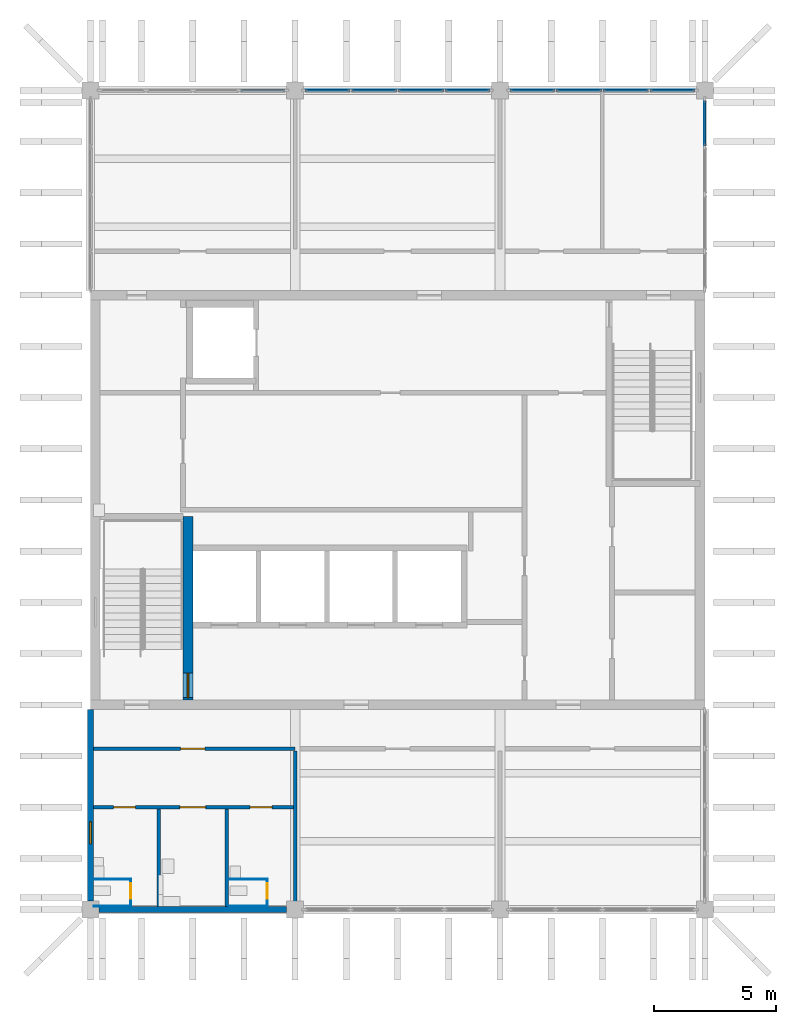
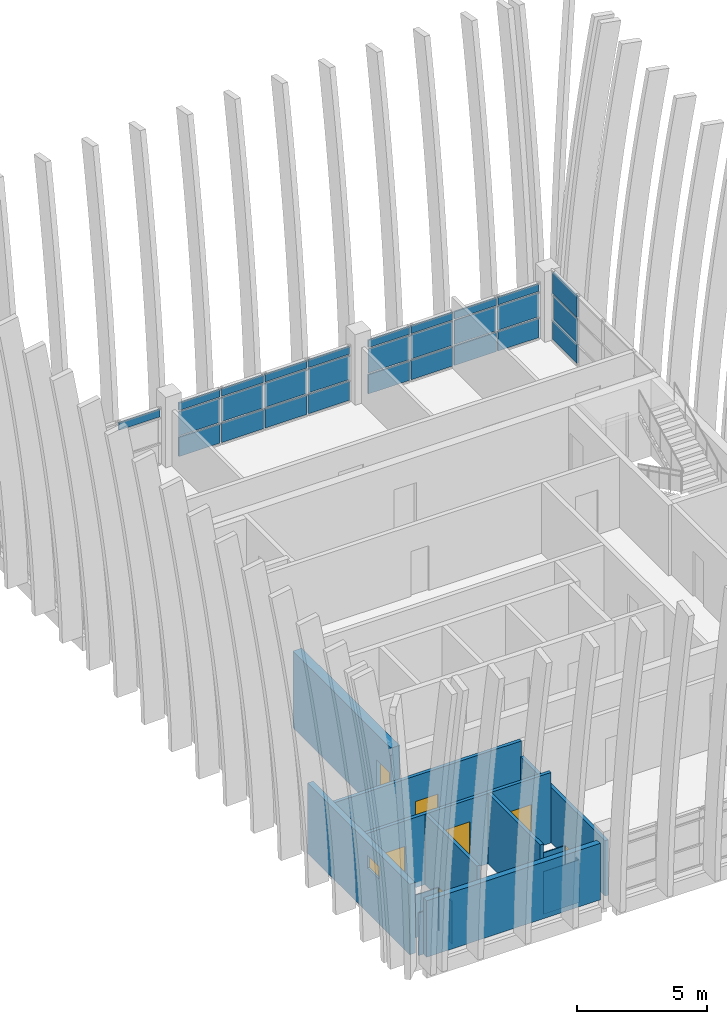
# One storey, part 5 of 19: 28 plates, 14 walls, 7 doors, 1 window, 8 openings, 4 elements without a shape of their own.
"""IFC4 building model written with IfcOpenShell, lengths in metres."""

from ifc_helpers import new_model, si_unit, direction, frame, frame_2d, origin, origin_2d, place, context, subcontext, project, spatial, rectangle, extrude, material, layer, layer_set, type_object, element, fill, aggregate, save


model = new_model("IFC4")

# Units and contexts
model_context = context("Model", 3, precision=1e-05, world=origin(), true_north=direction((0.0, 1.0)))
body_context = subcontext(model_context, "Body", "Model", "MODEL_VIEW")
ifc_project = project(units=[si_unit("LENGTHUNIT", "METRE"), si_unit("AREAUNIT", "SQUARE_METRE"), si_unit("VOLUMEUNIT", "CUBIC_METRE"), si_unit("PLANEANGLEUNIT", "RADIAN"), si_unit("MASSUNIT", "GRAM", prefix="KILO")], contexts=[model_context])

# Site, building, storey
site_placement = place(None, origin())
site = spatial("IfcSite", under=ifc_project, at=site_placement, CompositionType="ELEMENT")
building_placement = place(site_placement, origin())
building = spatial("IfcBuilding", under=site, at=building_placement, Name="Rulbaag Community and Learning Centre", CompositionType="ELEMENT")
storey_placement = place(building_placement, frame((0.0, 0.0, 57.60009765625)))
storey = spatial("IfcBuildingStorey", under=building, at=storey_placement, Name="L15", CompositionType="ELEMENT", Elevation=57.60009765625)

# Curtain wall, plate
ifc_material_1 = material(Name="Aluminium", Category="aluminium")
ifc_layer_1 = layer(ifc_material_1, 0.14990234375)
ifc_layer_set_1 = layer_set([ifc_layer_1], Name="CW-C")
curtain_wall_type = type_object("IfcCurtainWallType", Name="CW-C", PredefinedType="USERDEFINED", material=ifc_layer_set_1)
curtain_wall_1_placement = place(storey_placement, origin())
curtain_wall_1 = element("IfcCurtainWall", 1, at=curtain_wall_1_placement, inside=storey, type_object=curtain_wall_type, Name="GC-L15-03", ObjectType="UNITISED CURTAIN WALL", PredefinedType="USERDEFINED")
ifc_layer_2 = layer(ifc_material_1, 0.070068359375)
ifc_layer_set_2 = layer_set([ifc_layer_2], Name="CW-C-SPN")
plate_type_1 = type_object("IfcPlateType", Name="CW-C-SPN", PredefinedType="CURTAIN_PANEL", material=ifc_layer_set_2)
plate_1_placement = place(storey_placement, frame((149.8701171875, 117.60009765625, 2.23486328125), z_axis=(0.0, 0.0, 1.0), x_axis=(1.0, 0.0, 0.0)))
plate_1 = element("IfcPlate", 2, at=plate_1_placement, type_object=plate_type_1, Name="GC spandrel panel", PredefinedType="CURTAIN_PANEL", context=body_context, shape_type="SweptSolid", body=[
    extrude(rectangle(XDim=1.820068359375, YDim=0.070068359375, at=origin_2d()), origin(), (0.0, 0.0, 1.0), 0.344970703125),
])
aggregate(curtain_wall_1, [plate_1])

# Curtain wall, plates
curtain_wall_2_placement = place(storey_placement, origin())
curtain_wall_2 = element("IfcCurtainWall", 3, at=curtain_wall_2_placement, inside=storey, type_object=curtain_wall_type, Name="GC-L15-04", ObjectType="UNITISED CURTAIN WALL", PredefinedType="USERDEFINED")
plate_2_placement = place(storey_placement, frame((152.530029296875, 117.60009765625, 0.06982421875), z_axis=(0.0, 0.0, 1.0), x_axis=(1.0, 0.0, 0.0)))
plate_2 = element("IfcPlate", 4, at=plate_2_placement, type_object=plate_type_1, Name="GC spandrel panel", PredefinedType="CURTAIN_PANEL", context=body_context, shape_type="SweptSolid", body=[
    extrude(rectangle(XDim=1.820068359375, YDim=0.070068359375, at=origin_2d()), origin(), (0.0, 0.0, 1.0), 0.89501953125),
])
plate_3_placement = place(storey_placement, frame((152.530029296875, 117.60009765625, 2.23486328125), z_axis=(0.0, 0.0, 1.0), x_axis=(1.0, 0.0, 0.0)))
plate_3 = element("IfcPlate", 5, at=plate_3_placement, type_object=plate_type_1, Name="GC spandrel panel", PredefinedType="CURTAIN_PANEL", context=body_context, shape_type="SweptSolid", body=[
    extrude(rectangle(XDim=1.820068359375, YDim=0.070068359375, at=origin_2d()), origin(), (0.0, 0.0, 1.0), 0.344970703125),
])
plate_4_placement = place(storey_placement, frame((154.4375, 117.60009765625, 0.06982421875), z_axis=(0.0, 0.0, 1.0), x_axis=(1.0, 0.0, 0.0)))
plate_4 = element("IfcPlate", 6, at=plate_4_placement, type_object=plate_type_1, Name="GC spandrel panel", PredefinedType="CURTAIN_PANEL", context=body_context, shape_type="SweptSolid", body=[
    extrude(rectangle(XDim=1.85498046875, YDim=0.070068359375, at=origin_2d()), origin(), (0.0, 0.0, 1.0), 0.89501953125),
])
plate_5_placement = place(storey_placement, frame((154.4375, 117.60009765625, 2.23486328125), z_axis=(0.0, 0.0, 1.0), x_axis=(1.0, 0.0, 0.0)))
plate_5 = element("IfcPlate", 7, at=plate_5_placement, type_object=plate_type_1, Name="GC spandrel panel", PredefinedType="CURTAIN_PANEL", context=body_context, shape_type="SweptSolid", body=[
    extrude(rectangle(XDim=1.85498046875, YDim=0.070068359375, at=origin_2d()), origin(), (0.0, 0.0, 1.0), 0.344970703125),
])
plate_6_placement = place(storey_placement, frame((156.362548828125, 117.60009765625, 0.06982421875), z_axis=(0.0, 0.0, 1.0), x_axis=(1.0, 0.0, 0.0)))
plate_6 = element("IfcPlate", 8, at=plate_6_placement, type_object=plate_type_1, Name="GC spandrel panel", PredefinedType="CURTAIN_PANEL", context=body_context, shape_type="SweptSolid", body=[
    extrude(rectangle(XDim=1.85498046875, YDim=0.070068359375, at=origin_2d()), origin(), (0.0, 0.0, 1.0), 0.89501953125),
])
plate_7_placement = place(storey_placement, frame((156.362548828125, 117.60009765625, 2.23486328125), z_axis=(0.0, 0.0, 1.0), x_axis=(1.0, 0.0, 0.0)))
plate_7 = element("IfcPlate", 9, at=plate_7_placement, type_object=plate_type_1, Name="GC spandrel panel", PredefinedType="CURTAIN_PANEL", context=body_context, shape_type="SweptSolid", body=[
    extrude(rectangle(XDim=1.85498046875, YDim=0.070068359375, at=origin_2d()), origin(), (0.0, 0.0, 1.0), 0.344970703125),
])
plate_8_placement = place(storey_placement, frame((158.27001953125, 117.60009765625, 0.06982421875), z_axis=(0.0, 0.0, 1.0), x_axis=(1.0, 0.0, 0.0)))
plate_8 = element("IfcPlate", 10, at=plate_8_placement, type_object=plate_type_1, Name="GC spandrel panel", PredefinedType="CURTAIN_PANEL", context=body_context, shape_type="SweptSolid", body=[
    extrude(rectangle(XDim=1.820068359375, YDim=0.070068359375, at=origin_2d()), origin(), (0.0, 0.0, 1.0), 0.89501953125),
])
plate_9_placement = place(storey_placement, frame((158.27001953125, 117.60009765625, 2.23486328125), z_axis=(0.0, 0.0, 1.0), x_axis=(1.0, 0.0, 0.0)))
plate_9 = element("IfcPlate", 11, at=plate_9_placement, type_object=plate_type_1, Name="GC spandrel panel", PredefinedType="CURTAIN_PANEL", context=body_context, shape_type="SweptSolid", body=[
    extrude(rectangle(XDim=1.820068359375, YDim=0.070068359375, at=origin_2d()), origin(), (0.0, 0.0, 1.0), 0.344970703125),
])

curtain_wall_3_placement = place(storey_placement, origin())
curtain_wall_3 = element("IfcCurtainWall", 12, at=curtain_wall_3_placement, inside=storey, type_object=curtain_wall_type, Name="GC-L15-05", ObjectType="UNITISED CURTAIN WALL", PredefinedType="USERDEFINED")
plate_10_placement = place(storey_placement, frame((160.929931640625, 117.60009765625, 0.06982421875), z_axis=(0.0, 0.0, 1.0), x_axis=(1.0, 0.0, 0.0)))
plate_10 = element("IfcPlate", 13, at=plate_10_placement, type_object=plate_type_1, Name="GC spandrel panel", PredefinedType="CURTAIN_PANEL", context=body_context, shape_type="SweptSolid", body=[
    extrude(rectangle(XDim=1.820068359375, YDim=0.070068359375, at=origin_2d()), origin(), (0.0, 0.0, 1.0), 0.89501953125),
])
plate_11_placement = place(storey_placement, frame((160.929931640625, 117.60009765625, 2.23486328125), z_axis=(0.0, 0.0, 1.0), x_axis=(1.0, 0.0, 0.0)))
plate_11 = element("IfcPlate", 14, at=plate_11_placement, type_object=plate_type_1, Name="GC spandrel panel", PredefinedType="CURTAIN_PANEL", context=body_context, shape_type="SweptSolid", body=[
    extrude(rectangle(XDim=1.820068359375, YDim=0.070068359375, at=origin_2d()), origin(), (0.0, 0.0, 1.0), 0.344970703125),
])
plate_12_placement = place(storey_placement, frame((162.83740234375, 117.60009765625, 0.06982421875), z_axis=(0.0, 0.0, 1.0), x_axis=(1.0, 0.0, 0.0)))
plate_12 = element("IfcPlate", 15, at=plate_12_placement, type_object=plate_type_1, Name="GC spandrel panel", PredefinedType="CURTAIN_PANEL", context=body_context, shape_type="SweptSolid", body=[
    extrude(rectangle(XDim=1.85498046875, YDim=0.070068359375, at=origin_2d()), origin(), (0.0, 0.0, 1.0), 0.89501953125),
])
plate_13_placement = place(storey_placement, frame((162.83740234375, 117.60009765625, 2.23486328125), z_axis=(0.0, 0.0, 1.0), x_axis=(1.0, 0.0, 0.0)))
plate_13 = element("IfcPlate", 16, at=plate_13_placement, type_object=plate_type_1, Name="GC spandrel panel", PredefinedType="CURTAIN_PANEL", context=body_context, shape_type="SweptSolid", body=[
    extrude(rectangle(XDim=1.85498046875, YDim=0.070068359375, at=origin_2d()), origin(), (0.0, 0.0, 1.0), 0.344970703125),
])
plate_14_placement = place(storey_placement, frame((164.762451171875, 117.60009765625, 0.06982421875), z_axis=(0.0, 0.0, 1.0), x_axis=(1.0, 0.0, 0.0)))
plate_14 = element("IfcPlate", 17, at=plate_14_placement, type_object=plate_type_1, Name="GC spandrel panel", PredefinedType="CURTAIN_PANEL", context=body_context, shape_type="SweptSolid", body=[
    extrude(rectangle(XDim=1.85498046875, YDim=0.070068359375, at=origin_2d()), origin(), (0.0, 0.0, 1.0), 0.89501953125),
])
plate_15_placement = place(storey_placement, frame((164.762451171875, 117.60009765625, 2.23486328125), z_axis=(0.0, 0.0, 1.0), x_axis=(1.0, 0.0, 0.0)))
plate_15 = element("IfcPlate", 18, at=plate_15_placement, type_object=plate_type_1, Name="GC spandrel panel", PredefinedType="CURTAIN_PANEL", context=body_context, shape_type="SweptSolid", body=[
    extrude(rectangle(XDim=1.85498046875, YDim=0.070068359375, at=origin_2d()), origin(), (0.0, 0.0, 1.0), 0.344970703125),
])
plate_16_placement = place(storey_placement, frame((166.669921875, 117.60009765625, 0.06982421875), z_axis=(0.0, 0.0, 1.0), x_axis=(1.0, 0.0, 0.0)))
plate_16 = element("IfcPlate", 19, at=plate_16_placement, type_object=plate_type_1, Name="GC spandrel panel", PredefinedType="CURTAIN_PANEL", context=body_context, shape_type="SweptSolid", body=[
    extrude(rectangle(XDim=1.820068359375, YDim=0.070068359375, at=origin_2d()), origin(), (0.0, 0.0, 1.0), 0.89501953125),
])
plate_17_placement = place(storey_placement, frame((166.669921875, 117.60009765625, 2.23486328125), z_axis=(0.0, 0.0, 1.0), x_axis=(1.0, 0.0, 0.0)))
plate_17 = element("IfcPlate", 20, at=plate_17_placement, type_object=plate_type_1, Name="GC spandrel panel", PredefinedType="CURTAIN_PANEL", context=body_context, shape_type="SweptSolid", body=[
    extrude(rectangle(XDim=1.820068359375, YDim=0.070068359375, at=origin_2d()), origin(), (0.0, 0.0, 1.0), 0.344970703125),
])

curtain_wall_4_placement = place(storey_placement, origin())
curtain_wall_4 = element("IfcCurtainWall", 21, at=curtain_wall_4_placement, inside=storey, type_object=curtain_wall_type, Name="GC-L15-08", ObjectType="UNITISED CURTAIN WALL", PredefinedType="USERDEFINED")
plate_18_placement = place(storey_placement, frame((168.0, 116.251220703125, 0.06982421875), z_axis=(0.0, 0.0, 1.0), x_axis=(0.0, 1.0, 0.0)))
plate_18 = element("IfcPlate", 22, at=plate_18_placement, type_object=plate_type_1, Name="GC spandrel panel", PredefinedType="CURTAIN_PANEL", context=body_context, shape_type="SweptSolid", body=[
    extrude(rectangle(XDim=1.857421875, YDim=0.070068359375, at=origin_2d()), origin(), (0.0, 0.0, 1.0), 0.89501953125),
])
plate_19_placement = place(storey_placement, frame((168.0, 116.251220703125, 2.23486328125), z_axis=(0.0, 0.0, 1.0), x_axis=(0.0, 1.0, 0.0)))
plate_19 = element("IfcPlate", 23, at=plate_19_placement, type_object=plate_type_1, Name="GC spandrel panel", PredefinedType="CURTAIN_PANEL", context=body_context, shape_type="SweptSolid", body=[
    extrude(rectangle(XDim=1.857421875, YDim=0.070068359375, at=origin_2d()), origin(), (0.0, 0.0, 1.0), 0.9951171875),
])

# Plate
ifc_material_2 = material(Name="Glass", Category="glass")
ifc_layer_3 = layer(ifc_material_2, 0.035888671875)
ifc_layer_set_3 = layer_set([ifc_layer_3], Name="CW-C-VIS")
plate_type_2 = type_object("IfcPlateType", Name="CW-C-VIS", PredefinedType="CURTAIN_PANEL", material=ifc_layer_set_3)
plate_20_placement = place(storey_placement, frame((152.530029296875, 117.60009765625, 1.034912109375), z_axis=(0.0, 0.0, 1.0), x_axis=(1.0, 0.0, 0.0)))
plate_20 = element("IfcPlate", 24, at=plate_20_placement, type_object=plate_type_2, Name="GC vision panel", PredefinedType="CURTAIN_PANEL", context=body_context, shape_type="SweptSolid", body=[
    extrude(rectangle(XDim=1.820068359375, YDim=0.035888671875, at=origin_2d()), origin(), (0.0, 0.0, 1.0), 1.1298828125),
])

plate_21_placement = place(storey_placement, frame((154.4375, 117.60009765625, 1.034912109375), z_axis=(0.0, 0.0, 1.0), x_axis=(1.0, 0.0, 0.0)))
plate_21 = element("IfcPlate", 25, at=plate_21_placement, type_object=plate_type_2, Name="GC vision panel", PredefinedType="CURTAIN_PANEL", context=body_context, shape_type="SweptSolid", body=[
    extrude(rectangle(XDim=1.85498046875, YDim=0.035888671875, at=origin_2d()), origin(), (0.0, 0.0, 1.0), 1.1298828125),
])

plate_22_placement = place(storey_placement, frame((156.362548828125, 117.60009765625, 1.034912109375), z_axis=(0.0, 0.0, 1.0), x_axis=(1.0, 0.0, 0.0)))
plate_22 = element("IfcPlate", 26, at=plate_22_placement, type_object=plate_type_2, Name="GC vision panel", PredefinedType="CURTAIN_PANEL", context=body_context, shape_type="SweptSolid", body=[
    extrude(rectangle(XDim=1.85498046875, YDim=0.035888671875, at=origin_2d()), origin(), (0.0, 0.0, 1.0), 1.1298828125),
])

plate_23_placement = place(storey_placement, frame((158.27001953125, 117.60009765625, 1.034912109375), z_axis=(0.0, 0.0, 1.0), x_axis=(1.0, 0.0, 0.0)))
plate_23 = element("IfcPlate", 27, at=plate_23_placement, type_object=plate_type_2, Name="GC vision panel", PredefinedType="CURTAIN_PANEL", context=body_context, shape_type="SweptSolid", body=[
    extrude(rectangle(XDim=1.820068359375, YDim=0.035888671875, at=origin_2d()), origin(), (0.0, 0.0, 1.0), 1.1298828125),
])

aggregate(curtain_wall_2, [plate_2, plate_20, plate_3, plate_4, plate_21, plate_5, plate_6, plate_22, plate_7, plate_8, plate_23, plate_9])

plate_24_placement = place(storey_placement, frame((160.929931640625, 117.60009765625, 1.034912109375), z_axis=(0.0, 0.0, 1.0), x_axis=(1.0, 0.0, 0.0)))
plate_24 = element("IfcPlate", 28, at=plate_24_placement, type_object=plate_type_2, Name="GC vision panel", PredefinedType="CURTAIN_PANEL", context=body_context, shape_type="SweptSolid", body=[
    extrude(rectangle(XDim=1.820068359375, YDim=0.035888671875, at=origin_2d()), origin(), (0.0, 0.0, 1.0), 1.1298828125),
])

plate_25_placement = place(storey_placement, frame((162.83740234375, 117.60009765625, 1.034912109375), z_axis=(0.0, 0.0, 1.0), x_axis=(1.0, 0.0, 0.0)))
plate_25 = element("IfcPlate", 29, at=plate_25_placement, type_object=plate_type_2, Name="GC vision panel", PredefinedType="CURTAIN_PANEL", context=body_context, shape_type="SweptSolid", body=[
    extrude(rectangle(XDim=1.85498046875, YDim=0.035888671875, at=origin_2d()), origin(), (0.0, 0.0, 1.0), 1.1298828125),
])

plate_26_placement = place(storey_placement, frame((164.762451171875, 117.60009765625, 1.034912109375), z_axis=(0.0, 0.0, 1.0), x_axis=(1.0, 0.0, 0.0)))
plate_26 = element("IfcPlate", 30, at=plate_26_placement, type_object=plate_type_2, Name="GC vision panel", PredefinedType="CURTAIN_PANEL", context=body_context, shape_type="SweptSolid", body=[
    extrude(rectangle(XDim=1.85498046875, YDim=0.035888671875, at=origin_2d()), origin(), (0.0, 0.0, 1.0), 1.1298828125),
])

plate_27_placement = place(storey_placement, frame((166.669921875, 117.60009765625, 1.034912109375), z_axis=(0.0, 0.0, 1.0), x_axis=(1.0, 0.0, 0.0)))
plate_27 = element("IfcPlate", 31, at=plate_27_placement, type_object=plate_type_2, Name="GC vision panel", PredefinedType="CURTAIN_PANEL", context=body_context, shape_type="SweptSolid", body=[
    extrude(rectangle(XDim=1.820068359375, YDim=0.035888671875, at=origin_2d()), origin(), (0.0, 0.0, 1.0), 1.1298828125),
])

aggregate(curtain_wall_3, [plate_10, plate_24, plate_11, plate_12, plate_25, plate_13, plate_14, plate_26, plate_15, plate_16, plate_27, plate_17])

plate_28_placement = place(storey_placement, frame((168.0, 116.251220703125, 1.034912109375), z_axis=(0.0, 0.0, 1.0), x_axis=(0.0, 1.0, 0.0)))
plate_28 = element("IfcPlate", 32, at=plate_28_placement, type_object=plate_type_2, Name="GC vision panel", PredefinedType="CURTAIN_PANEL", context=body_context, shape_type="SweptSolid", body=[
    extrude(rectangle(XDim=1.857421875, YDim=0.035888671875, at=origin_2d()), origin(), (0.0, 0.0, 1.0), 1.1298828125),
])

aggregate(curtain_wall_4, [plate_18, plate_28, plate_19])

# Walls
ifc_material_3 = material(Name="High pressure laminate", Category="wood")
ifc_layer_4 = layer(ifc_material_3, 0.0400390625)
ifc_layer_set_4 = layer_set([ifc_layer_4], Name="CP-40")
wall_type_1 = type_object("IfcWallType", Name="CP-40", PredefinedType="PARTITIONING", material=ifc_layer_set_4)
wall_1_placement = place(storey_placement, frame((142.929931640625, 84.14501953125, 0.0), z_axis=(0.0, 0.0, 1.0), x_axis=(1.0, 0.0, 0.0)))
element("IfcWall", 33, at=wall_1_placement, inside=storey, type_object=wall_type_1, Name="Cubicle partition", PredefinedType="PARTITIONING", context=body_context, shape_type="SweptSolid", body=[
    extrude(rectangle(XDim=1.5400390625, YDim=0.0400390625, at=frame_2d((0.77001953125, 0.0))), origin(), (0.0, 0.0, 1.0), 2.0),
])
wall_2_placement = place(storey_placement, frame((142.925048828125, 85.239990234375, 0.0), z_axis=(0.0, 0.0, 1.0), x_axis=(1.0, 0.0, 0.0)))
element("IfcWall", 34, at=wall_2_placement, inside=storey, type_object=wall_type_1, Name="Cubicle partition", PredefinedType="PARTITIONING", context=body_context, shape_type="SweptSolid", body=[
    extrude(rectangle(XDim=1.544921875, YDim=0.0400390625, at=frame_2d((0.7724609375, 0.0))), origin(), (0.0, 0.0, 1.0), 2.0),
])

# Wall, opening, door
wall_3_placement = place(storey_placement, frame((144.449951171875, 84.1650390625, 0.0), z_axis=(0.0, 0.0, 1.0), x_axis=(0.0, 1.0, 0.0)))
wall_3 = element("IfcWall", 35, at=wall_3_placement, inside=storey, type_object=wall_type_1, Name="Cubicle partition", PredefinedType="PARTITIONING", context=body_context, shape_type="SweptSolid", body=[
    extrude(rectangle(XDim=1.054931640625, YDim=0.0400390625, at=frame_2d((0.52734375, 0.0))), origin(), (0.0, 0.0, 1.0), 2.0),
])
opening_1_placement = place(wall_3_placement, frame((0.205078125, 0.0, 0.0)))
opening_1 = element("IfcOpeningElement", 36, at=opening_1_placement, cuts=wall_3, Name="Opening L15-D002", PredefinedType="OPENING", context=body_context, shape_type="SweptSolid", body=[
    extrude(rectangle(XDim=0.800048828125, YDim=2.0, at=frame_2d((0.39990234375, 1.0))), frame((0.0, 0.030029296875, 0.0), z_axis=(0.0, -1.0, 0.0), x_axis=(1.0, 0.0, 0.0)), (0.0, 0.0, 1.0), 0.06005859375),
])
door_type_1 = type_object("IfcDoorType", Name="DC-80", OperationType="SINGLE_SWING_LEFT", PredefinedType="DOOR", material=ifc_material_3)
door_1_placement = place(opening_1_placement, origin())
door_1 = element("IfcDoor", 37, at=door_1_placement, inside=storey, type_object=door_type_1, Name="Cubicle door", OperationType="SINGLE_SWING_LEFT", OverallHeight=2.0, OverallWidth=0.800048828125, PredefinedType="DOOR", context=body_context, shape_type="SweptSolid", body=[
    extrude(rectangle(XDim=0.800048828125, YDim=2.0, at=frame_2d((0.39990234375, 1.0))), frame((0.0, 0.019775390625, 0.0), z_axis=(0.0, -1.0, 0.0), x_axis=(1.0, 0.0, 0.0)), (0.0, 0.0, 1.0), 0.03955078125),
])
fill(opening_1, door_1)

# Walls
for number, where, z_axis, x_axis, name in (
    (38, (148.47509765625, 84.14501953125, 0.0), (0.0, 0.0, 1.0), (1.0, 0.0, 0.0), "Cubicle partition"),
    (39, (148.47509765625, 85.239990234375, 0.0), (0.0, 0.0, 1.0), (1.0, 0.0, 0.0), "Cubicle partition"),
):
    element("IfcWall", number, at=place(storey_placement, frame(where, z_axis=z_axis, x_axis=x_axis)), inside=storey, type_object=wall_type_1, Name=name, PredefinedType="PARTITIONING", context=body_context, shape_type="SweptSolid", body=[
        extrude(rectangle(XDim=1.594970703125, YDim=0.0400390625, at=frame_2d((0.79736328125, 0.0))), origin(), (0.0, 0.0, 1.0), 2.0),
    ])

# Wall, opening, door
wall_4_placement = place(storey_placement, frame((150.050048828125, 84.1650390625, 0.0), z_axis=(0.0, 0.0, 1.0), x_axis=(0.0, 1.0, 0.0)))
wall_4 = element("IfcWall", 40, at=wall_4_placement, inside=storey, type_object=wall_type_1, Name="Cubicle partition", PredefinedType="PARTITIONING", context=body_context, shape_type="SweptSolid", body=[
    extrude(rectangle(XDim=1.054931640625, YDim=0.0400390625, at=frame_2d((0.52734375, 0.0))), origin(), (0.0, 0.0, 1.0), 2.0),
])
opening_2_placement = place(wall_4_placement, frame((0.205078125, 0.0, 0.0)))
opening_2 = element("IfcOpeningElement", 41, at=opening_2_placement, cuts=wall_4, Name="Opening L15-D013", PredefinedType="OPENING", context=body_context, shape_type="SweptSolid", body=[
    extrude(rectangle(XDim=0.800048828125, YDim=2.0, at=frame_2d((0.39990234375, 1.0))), frame((0.0, 0.030029296875, 0.0), z_axis=(0.0, -1.0, 0.0), x_axis=(1.0, 0.0, 0.0)), (0.0, 0.0, 1.0), 0.06005859375),
])
door_2_placement = place(opening_2_placement, origin())
door_2 = element("IfcDoor", 42, at=door_2_placement, inside=storey, type_object=door_type_1, Name="Cubicle door", OperationType="SINGLE_SWING_LEFT", OverallHeight=2.0, OverallWidth=0.800048828125, PredefinedType="DOOR", context=body_context, shape_type="SweptSolid", body=[
    extrude(rectangle(XDim=0.800048828125, YDim=2.0, at=frame_2d((0.39990234375, 1.0))), frame((0.0, 0.019775390625, 0.0), z_axis=(0.0, -1.0, 0.0), x_axis=(1.0, 0.0, 0.0)), (0.0, 0.0, 1.0), 0.03955078125),
])
fill(opening_2, door_2)

# Wall
ifc_material_4 = material(Name="Concrete M40", Category="concrete")
ifc_layer_5 = layer(ifc_material_4, 0.25)
ifc_layer_set_5 = layer_set([ifc_layer_5], Name="EW-CONC250")
wall_type_2 = type_object("IfcWallType", Name="EW-CONC250", PredefinedType="STANDARD", material=ifc_layer_set_5)
wall_5_placement = place(storey_placement, frame((143.14990234375, 84.0, 0.0), z_axis=(0.0, 0.0, 1.0), x_axis=(1.0, 0.0, 0.0)))
element("IfcWall", 43, at=wall_5_placement, inside=storey, type_object=wall_type_2, Name="Board-marked concrete cladding wall BS", PredefinedType="STANDARD", context=body_context, shape_type="SweptSolid", body=[
    extrude(rectangle(XDim=7.7001953125, YDim=0.25, at=frame_2d((3.85009765625, 0.0))), origin(), (0.0, 0.0, 1.0), 2.64990234375),
])

# Wall, opening, window
wall_6_placement = place(storey_placement, frame((142.800048828125, 84.35009765625, 0.0), z_axis=(0.0, 0.0, 1.0), x_axis=(0.0, 1.0, 0.0)))
wall_6 = element("IfcWall", 44, at=wall_6_placement, inside=storey, type_object=wall_type_2, Name="Board-marked concrete cladding wall BW", PredefinedType="STANDARD", context=body_context, shape_type="SweptSolid", body=[
    extrude(rectangle(XDim=7.849853515625, YDim=0.25, at=frame_2d((3.9248046875, 0.0))), origin(), (0.0, 0.0, 1.0), 3.2998046875),
])
opening_3_placement = place(wall_6_placement, frame((2.35009765625, 0.0, 2.10009765625)))
opening_3 = element("IfcOpeningElement", 45, at=opening_3_placement, cuts=wall_6, Name="Opening WN5", PredefinedType="OPENING", context=body_context, shape_type="SweptSolid", body=[
    extrude(rectangle(XDim=0.89990234375, YDim=0.60009765625, at=frame_2d((0.449951171875, 0.300048828125))), frame((0.0, 0.135009765625, 0.0), z_axis=(0.0, -1.0, 0.0), x_axis=(1.0, 0.0, 0.0)), (0.0, 0.0, 1.0), 0.27001953125),
])
window_type = type_object("IfcWindowType", Name="WK-09", PartitioningType="SINGLE_PANEL", PredefinedType="WINDOW", material=ifc_material_1)
window_placement = place(opening_3_placement, origin())
window = element("IfcWindow", 46, at=window_placement, inside=storey, type_object=window_type, Name="Window WN5", OverallHeight=0.60009765625, OverallWidth=0.89990234375, PartitioningType="SINGLE_PANEL", PredefinedType="WINDOW", context=body_context, shape_type="SweptSolid", body=[
    extrude(rectangle(XDim=0.89990234375, YDim=0.60009765625, at=frame_2d((0.449951171875, 0.300048828125))), frame((0.0, 0.030029296875, 0.0), z_axis=(0.0, -1.0, 0.0), x_axis=(1.0, 0.0, 0.0)), (0.0, 0.0, 1.0), 0.06005859375),
])
fill(opening_3, window)

# Wall, openings, doors
ifc_material_5 = material(Name="Concrete blockwork", Category="masonry")
ifc_layer_6 = layer(ifc_material_5, 0.14990234375)
ifc_layer_set_6 = layer_set([ifc_layer_6], Name="IP-150 PARTITION 150")
wall_type_3 = type_object("IfcWallType", Name="IP-150 PARTITION 150", PredefinedType="PARTITIONING", material=ifc_layer_set_6)
wall_7_placement = place(storey_placement, frame((142.925048828125, 88.199951171875, 0.0), z_axis=(0.0, 0.0, 1.0), x_axis=(1.0, 0.0, 0.0)))
wall_7 = element("IfcWall", 47, at=wall_7_placement, inside=storey, type_object=wall_type_3, Name="Partition L15 1", PredefinedType="PARTITIONING", context=body_context, shape_type="SweptSolid", body=[
    extrude(rectangle(XDim=8.199951171875, YDim=0.14990234375, at=frame_2d((4.10009765625, 0.0))), origin(), (0.0, 0.0, 1.0), 3.2998046875),
])
opening_4_placement = place(wall_7_placement, frame((0.824951171875, 0.0, 0.0)))
opening_4 = element("IfcOpeningElement", 48, at=opening_4_placement, cuts=wall_7, Name="Opening L15-D001", PredefinedType="OPENING", context=body_context, shape_type="SweptSolid", body=[
    extrude(rectangle(XDim=0.89990234375, YDim=2.10009765625, at=frame_2d((0.449951171875, 1.050048828125))), frame((0.0, 0.0849609375, 0.0), z_axis=(0.0, -1.0, 0.0), x_axis=(1.0, 0.0, 0.0)), (0.0, 0.0, 1.0), 0.169921875),
])
opening_5_placement = place(wall_7_placement, frame((3.550048828125, 0.0, 0.0)))
opening_5 = element("IfcOpeningElement", 49, at=opening_5_placement, cuts=wall_7, Name="Opening L15-D007", PredefinedType="OPENING", context=body_context, shape_type="SweptSolid", body=[
    extrude(rectangle(XDim=1.050048828125, YDim=2.25, at=frame_2d((0.52490234375, 1.125))), frame((0.0, 0.0849609375, 0.0), z_axis=(0.0, -1.0, 0.0), x_axis=(1.0, 0.0, 0.0)), (0.0, 0.0, 1.0), 0.169921875),
])
opening_6_placement = place(wall_7_placement, frame((6.425048828125, 0.0, 0.0)))
opening_6 = element("IfcOpeningElement", 50, at=opening_6_placement, cuts=wall_7, Name="Opening L15-D012", PredefinedType="OPENING", context=body_context, shape_type="SweptSolid", body=[
    extrude(rectangle(XDim=0.89990234375, YDim=2.10009765625, at=frame_2d((0.449951171875, 1.050048828125))), frame((0.0, 0.0849609375, 0.0), z_axis=(0.0, -1.0, 0.0), x_axis=(1.0, 0.0, 0.0)), (0.0, 0.0, 1.0), 0.169921875),
])
ifc_material_6 = material(Name="Timber", Category="wood")
door_type_2 = type_object("IfcDoorType", Name="D-1050 ACCESSIBLE TOILET DOOR 1050 x 2250", OperationType="SINGLE_SWING_LEFT", PredefinedType="DOOR", material=ifc_material_6)
door_3_placement = place(opening_5_placement, origin())
door_3 = element("IfcDoor", 51, at=door_3_placement, inside=storey, type_object=door_type_2, Name="Door L15-D007", OperationType="SINGLE_SWING_LEFT", OverallHeight=2.25, OverallWidth=1.050048828125, PredefinedType="DOOR", context=body_context, shape_type="SweptSolid", body=[
    extrude(rectangle(XDim=1.050048828125, YDim=2.25, at=frame_2d((0.52490234375, 1.125))), frame((0.0, 0.02490234375, 0.0), z_axis=(0.0, -1.0, 0.0), x_axis=(1.0, 0.0, 0.0)), (0.0, 0.0, 1.0), 0.050048828125),
])
fill(opening_5, door_3)
door_type_3 = type_object("IfcDoorType", Name="DW-900 TOILET DOOR 900 x 2100", OperationType="SINGLE_SWING_LEFT", PredefinedType="DOOR", material=ifc_material_6)
door_4_placement = place(opening_4_placement, origin())
door_4 = element("IfcDoor", 52, at=door_4_placement, inside=storey, type_object=door_type_3, Name="Door L15-D001", OperationType="SINGLE_SWING_LEFT", OverallHeight=2.10009765625, OverallWidth=0.89990234375, PredefinedType="DOOR", context=body_context, shape_type="SweptSolid", body=[
    extrude(rectangle(XDim=0.89990234375, YDim=2.10009765625, at=frame_2d((0.449951171875, 1.050048828125))), frame((0.0, 0.02490234375, 0.0), z_axis=(0.0, -1.0, 0.0), x_axis=(1.0, 0.0, 0.0)), (0.0, 0.0, 1.0), 0.050048828125),
])
fill(opening_4, door_4)
door_5_placement = place(opening_6_placement, origin())
door_5 = element("IfcDoor", 53, at=door_5_placement, inside=storey, type_object=door_type_3, Name="Door L15-D012", OperationType="SINGLE_SWING_RIGHT", OverallHeight=2.10009765625, OverallWidth=0.89990234375, PredefinedType="DOOR", context=body_context, shape_type="SweptSolid", body=[
    extrude(rectangle(XDim=0.89990234375, YDim=2.10009765625, at=frame_2d((0.449951171875, 1.050048828125))), frame((0.0, 0.02490234375, 0.0), z_axis=(0.0, -1.0, 0.0), x_axis=(1.0, 0.0, 0.0)), (0.0, 0.0, 1.0), 0.050048828125),
])
fill(opening_6, door_5)

# Wall, opening, door
wall_8_placement = place(storey_placement, frame((142.925048828125, 90.60009765625, 0.0), z_axis=(0.0, 0.0, 1.0), x_axis=(1.0, 0.0, 0.0)))
wall_8 = element("IfcWall", 54, at=wall_8_placement, inside=storey, type_object=wall_type_3, Name="Partition L15 2", PredefinedType="PARTITIONING", context=body_context, shape_type="SweptSolid", body=[
    extrude(rectangle(XDim=8.27490234375, YDim=0.14990234375, at=frame_2d((4.137451171875, 0.0))), origin(), (0.0, 0.0, 1.0), 3.2998046875),
])
opening_7_placement = place(wall_8_placement, frame((3.574951171875, 0.0, 0.0)))
opening_7 = element("IfcOpeningElement", 55, at=opening_7_placement, cuts=wall_8, Name="Opening L15-D008", PredefinedType="OPENING", context=body_context, shape_type="SweptSolid", body=[
    extrude(rectangle(XDim=1.0, YDim=2.10009765625, at=frame_2d((0.5, 1.050048828125))), frame((0.0, 0.0849609375, 0.0), z_axis=(0.0, -1.0, 0.0), x_axis=(1.0, 0.0, 0.0)), (0.0, 0.0, 1.0), 0.169921875),
])
door_type_4 = type_object("IfcDoorType", Name="D-1000 DOOR 1000 x 2100", OperationType="SINGLE_SWING_LEFT", PredefinedType="DOOR", material=ifc_material_6)
door_6_placement = place(opening_7_placement, origin())
door_6 = element("IfcDoor", 56, at=door_6_placement, inside=storey, type_object=door_type_4, Name="Door L15-D008", OperationType="SINGLE_SWING_RIGHT", OverallHeight=2.10009765625, OverallWidth=1.0, PredefinedType="DOOR", context=body_context, shape_type="SweptSolid", body=[
    extrude(rectangle(XDim=1.0, YDim=2.10009765625, at=frame_2d((0.5, 1.050048828125))), frame((0.0, 0.02490234375, 0.0), z_axis=(0.0, -1.0, 0.0), x_axis=(1.0, 0.0, 0.0)), (0.0, 0.0, 1.0), 0.050048828125),
])
fill(opening_7, door_6)

# Walls
for number, where, z_axis, x_axis, name in (
    (57, (145.60009765625, 84.125, 0.0), (0.0, 0.0, 1.0), (0.0, 1.0, 0.0), "Partition L15 11"),
    (58, (148.39990234375, 84.125, 0.0), (0.0, 0.0, 1.0), (0.0, 1.0, 0.0), "Partition L15 14"),
):
    element("IfcWall", number, at=place(storey_placement, frame(where, z_axis=z_axis, x_axis=x_axis)), inside=storey, type_object=wall_type_3, Name=name, PredefinedType="PARTITIONING", context=body_context, shape_type="SweptSolid", body=[
        extrude(rectangle(XDim=4.0, YDim=0.14990234375, at=frame_2d((2.0, 0.0))), origin(), (0.0, 0.0, 1.0), 3.2998046875),
    ])
wall_9_placement = place(storey_placement, frame((151.199951171875, 84.0, 0.0), z_axis=(0.0, 0.0, 1.0), x_axis=(0.0, 1.0, 0.0)))
element("IfcWall", 59, at=wall_9_placement, inside=storey, type_object=wall_type_3, Name="Partition L15 16", PredefinedType="PARTITIONING", context=body_context, shape_type="SweptSolid", body=[
    extrude(rectangle(XDim=6.5, YDim=0.14990234375, at=frame_2d((3.25, 0.0))), origin(), (0.0, 0.0, 1.0), 2.599853515625),
])

# Wall, opening, door
ifc_layer_7 = layer(ifc_material_4, 0.39990234375)
ifc_layer_set_7 = layer_set([ifc_layer_7], Name="W7 Stair wall 400 Concrete M40")
wall_type_4 = type_object("IfcWallType", Name="W7 Stair wall 400 Concrete M40", PredefinedType="SHEAR", material=ifc_layer_set_7)
wall_10_placement = place(storey_placement, frame((146.800048828125, 92.60009765625, -0.300048828125), z_axis=(0.0, 0.0, 1.0), x_axis=(0.0, 1.0, 0.0)))
wall_10 = element("IfcWall", 60, at=wall_10_placement, inside=storey, type_object=wall_type_4, Name="WL-ST1-E-L15", PredefinedType="SHEAR", context=body_context, shape_type="SweptSolid", body=[
    extrude(rectangle(XDim=7.52490234375, YDim=0.39990234375, at=frame_2d((3.762451171875, 0.0))), origin(), (0.0, 0.0, 1.0), 3.599853515625),
])
opening_8_placement = place(wall_10_placement, frame((0.10009765625, 0.0, 0.300048828125)))
opening_8 = element("IfcOpeningElement", 61, at=opening_8_placement, cuts=wall_10, Name="Opening L15-D006", PredefinedType="OPENING", context=body_context, shape_type="SweptSolid", body=[
    extrude(rectangle(XDim=1.0, YDim=2.10009765625, at=frame_2d((0.5, 1.050048828125))), frame((0.0, 0.2099609375, 0.0), z_axis=(0.0, -1.0, 0.0), x_axis=(1.0, 0.0, 0.0)), (0.0, 0.0, 1.0), 0.419921875),
])
ifc_material_7 = material(Name="Galvanised steel", Category="steel")
door_type_5 = type_object("IfcDoorType", Name="FD-1000 FIRE DOOR 1000 x 2100", OperationType="SINGLE_SWING_LEFT", PredefinedType="DOOR", material=ifc_material_7)
door_7_placement = place(opening_8_placement, origin())
door_7 = element("IfcDoor", 62, at=door_7_placement, inside=storey, type_object=door_type_5, Name="Door L15-D006", OperationType="SINGLE_SWING_RIGHT", OverallHeight=2.10009765625, OverallWidth=1.0, PredefinedType="DOOR", context=body_context, shape_type="SweptSolid", body=[
    extrude(rectangle(XDim=1.0, YDim=2.10009765625, at=frame_2d((0.5, 1.050048828125))), frame((0.0, 0.02490234375, 0.0), z_axis=(0.0, -1.0, 0.0), x_axis=(1.0, 0.0, 0.0)), (0.0, 0.0, 1.0), 0.050048828125),
])
fill(opening_8, door_7)

save(model, "model.ifc")
